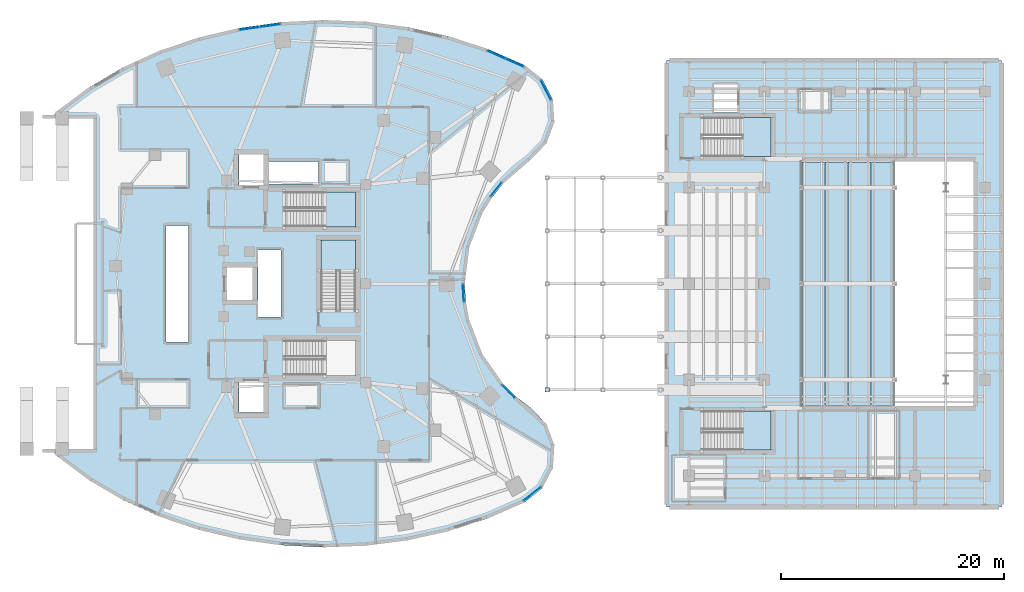
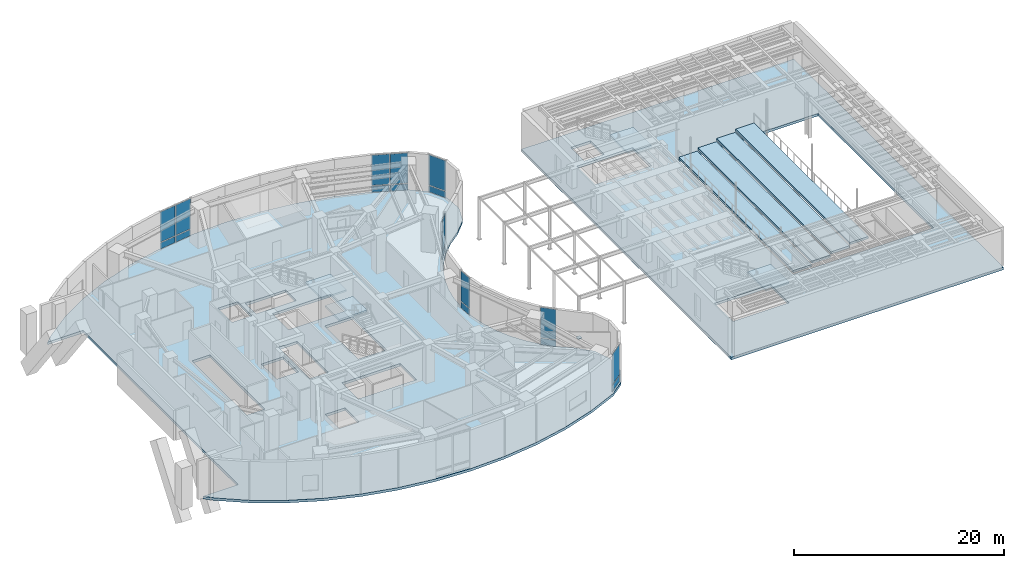
# One storey, part 12 of 24: 19 plates, 10 slabs, 11 elements without a shape of their own.
"""IFC4 building model written with IfcOpenShell, lengths in metres."""

from ifc_helpers import new_model, si_unit, direction, frame, origin, origin_2d, place, context, subcontext, project, spatial, polyline, rectangle, outline, extrude, material, layer, layer_set, type_object, element, aggregate, save


model = new_model("IFC4")

# Units and contexts
model_context = context("Model", 3, precision=1e-05, world=origin(), true_north=direction((0.0, 1.0)))
body_context = subcontext(model_context, "Body", "Model", "MODEL_VIEW")
ifc_project = project(units=[si_unit("LENGTHUNIT", "METRE"), si_unit("AREAUNIT", "SQUARE_METRE"), si_unit("VOLUMEUNIT", "CUBIC_METRE"), si_unit("PLANEANGLEUNIT", "RADIAN"), si_unit("MASSUNIT", "GRAM", prefix="KILO")], contexts=[model_context])

# Site, building, storey
site_placement = place(None, origin())
site = spatial("IfcSite", under=ifc_project, at=site_placement, CompositionType="ELEMENT")
building_placement = place(site_placement, origin())
building = spatial("IfcBuilding", under=site, at=building_placement, Name="Korentha Bioscience Tower", CompositionType="ELEMENT")
storey_placement = place(building_placement, frame((0.0, 0.0, 5.39990234375)))
storey = spatial("IfcBuildingStorey", under=building, at=storey_placement, Name="L01", CompositionType="ELEMENT", Elevation=5.39990234375)

# Slabs
ifc_material_1 = material(Name="Concrete C50", Category="concrete")
ifc_layer_1 = layer(ifc_material_1, 0.260009765625, Name="Concrete C50")
ifc_layer_set_1 = layer_set([ifc_layer_1], Name="Concrete C50 (ST-TIER)")
slab_type_1 = type_object("IfcSlabType", Name="Auditorium Raked Seating Tier Slab 260", PredefinedType="USERDEFINED", material=ifc_layer_set_1)
slab_1_placement = place(storey_placement, frame((0.0, 0.0, 0.10009765625)))
element("IfcSlab", 1, at=slab_1_placement, inside=storey, type_object=slab_type_1, Name="L01 Auditorium Seating Tier 1", ObjectType="SEATING_TIER", PredefinedType="USERDEFINED", context=body_context, shape_type="SweptSolid", body=[
    extrude(outline(polyline([(76.60009765625, 16.10009765625), (78.6298828125, 16.10009765625), (78.6298828125, 37.89990234375), (76.60009765625, 37.89990234375), (76.60009765625, 16.10009765625)])), origin(), (0.0, 0.0, 1.0), 0.260009765625),
])
slab_2_placement = place(storey_placement, frame((0.0, 0.0, 0.460205078125)))
element("IfcSlab", 2, at=slab_2_placement, inside=storey, type_object=slab_type_1, Name="L01 Auditorium Seating Tier 2", ObjectType="SEATING_TIER", PredefinedType="USERDEFINED", context=body_context, shape_type="SweptSolid", body=[
    extrude(outline(polyline([(78.679931640625, 16.10009765625), (80.7099609375, 16.10009765625), (80.7099609375, 37.89990234375), (78.679931640625, 37.89990234375), (78.679931640625, 16.10009765625)])), origin(), (0.0, 0.0, 1.0), 0.260009765625),
])
slab_3_placement = place(storey_placement, frame((0.0, 0.0, 0.820068359375)))
element("IfcSlab", 3, at=slab_3_placement, inside=storey, type_object=slab_type_1, Name="L01 Auditorium Seating Tier 3", ObjectType="SEATING_TIER", PredefinedType="USERDEFINED", context=body_context, shape_type="SweptSolid", body=[
    extrude(outline(polyline([(80.760009765625, 16.10009765625), (82.7900390625, 16.10009765625), (82.7900390625, 37.89990234375), (80.760009765625, 37.89990234375), (80.760009765625, 16.10009765625)])), origin(), (0.0, 0.0, 1.0), 0.260009765625),
])
slab_4_placement = place(storey_placement, frame((0.0, 0.0, 1.18017578125)))
element("IfcSlab", 4, at=slab_4_placement, inside=storey, type_object=slab_type_1, Name="L01 Auditorium Seating Tier 4", ObjectType="SEATING_TIER", PredefinedType="USERDEFINED", context=body_context, shape_type="SweptSolid", body=[
    extrude(outline(polyline([(82.840087890625, 16.10009765625), (84.8701171875, 16.10009765625), (84.8701171875, 37.89990234375), (82.840087890625, 37.89990234375), (82.840087890625, 16.10009765625)])), origin(), (0.0, 0.0, 1.0), 0.260009765625),
])
ifc_layer_2 = layer(ifc_material_1, 0.300048828125, Name="Concrete C50")
ifc_layer_set_2 = layer_set([ifc_layer_2], Name="Concrete C50 (SL-TH300)")
slab_type_2 = type_object("IfcSlabType", Name="Civic Theatre Floor Slab 300", PredefinedType="FLOOR", material=ifc_layer_set_2)
slab_5_placement = place(storey_placement, frame((0.0, 0.0, -0.2998046875)))
element("IfcSlab", 5, at=slab_5_placement, inside=storey, type_object=slab_type_2, Name="L01 Civic Performing-Arts Theatre Floor Slab", PredefinedType="FLOOR", context=body_context, shape_type="SweptSolid", body=[
    extrude(outline(polyline([(64.5, 7.0), (94.5, 7.0), (94.5, 47.0), (64.5, 47.0), (64.5, 7.0)]), holes=[polyline([(67.64990234375, 12.10009765625), (73.85009765625, 12.10009765625), (73.85009765625, 15.60009765625), (67.64990234375, 15.60009765625), (67.64990234375, 12.10009765625)]), polyline([(67.64990234375, 38.39990234375), (73.85009765625, 38.39990234375), (73.85009765625, 41.89990234375), (67.64990234375, 41.89990234375), (67.64990234375, 38.39990234375)]), polyline([(68.7099609375, 42.31005859375), (70.889892578125, 42.31005859375), (70.889892578125, 44.889892578125), (68.7099609375, 44.889892578125), (68.7099609375, 42.31005859375)]), polyline([(76.550048828125, 16.0), (92.0, 16.0), (92.0, 38.0), (76.550048828125, 38.0), (76.550048828125, 16.0)])]), origin(), (0.0, 0.0, 1.0), 0.2998046875),
])

# Curtain wall, plates
ifc_material_2 = material(Name="Stone-Clad Aluminium Frame", Category="masonry")
ifc_layer_3 = layer(ifc_material_2, 0.219970703125, Name="Stone-Clad Aluminium Frame")
ifc_layer_set_3 = layer_set([ifc_layer_3], Name="Stone-Clad Aluminium Frame (CW-P1)")
curtain_wall_type = type_object("IfcCurtainWallType", Name="Podium Double-Height Stone-Mullion Curtain Wall CW-P1", PredefinedType="USERDEFINED", material=ifc_layer_set_3)
curtain_wall_1_placement = place(storey_placement, origin())
curtain_wall_1 = element("IfcCurtainWall", 6, at=curtain_wall_1_placement, inside=storey, type_object=curtain_wall_type, Name="L01 Curtain Wall 01", ObjectType="UNITISED", PredefinedType="USERDEFINED")
ifc_material_3 = material(Name="Triple-Glazed Low-E Insulated Glass", Category="glass")
ifc_layer_4 = layer(ifc_material_3, 0.0439453125, Name="Triple-Glazed Low-E Insulated Glass")
ifc_layer_set_4 = layer_set([ifc_layer_4], Name="Triple-Glazed Low-E Insulated Glass (GL-44)")
plate_type_1 = type_object("IfcPlateType", Name="Glazed Panel 44mm", PredefinedType="CURTAIN_PANEL", material=ifc_layer_set_4)
plate_1_placement = place(storey_placement, frame((50.893310546875, 46.780029296875, 0.08984375), z_axis=(0.0, 0.0, 1.0), x_axis=(-0.91593909057, 0.401317308828, 0.0)))
plate_1 = element("IfcPlate", 7, at=plate_1_placement, type_object=plate_type_1, Name="CW-L01-01 Bay 1 Glazed Panel 1", PredefinedType="CURTAIN_PANEL", context=body_context, shape_type="SweptSolid", body=[
    extrude(rectangle(XDim=1.701171875, YDim=0.0439453125, at=origin_2d()), origin(), (0.0, 0.0, 1.0), 0.715087890625),
])
plate_2_placement = place(storey_placement, frame((50.893310546875, 46.780029296875, 0.89501953125), z_axis=(0.0, 0.0, 1.0), x_axis=(-0.91593909057, 0.401317308828, 0.0)))
plate_2 = element("IfcPlate", 8, at=plate_2_placement, type_object=plate_type_1, Name="CW-L01-01 Bay 1 Glazed Panel 2", PredefinedType="CURTAIN_PANEL", context=body_context, shape_type="SweptSolid", body=[
    extrude(rectangle(XDim=1.701171875, YDim=0.0439453125, at=origin_2d()), origin(), (0.0, 0.0, 1.0), 3.514892578125),
])
plate_3_placement = place(storey_placement, frame((49.25244140625, 47.498779296875, 0.08984375), z_axis=(0.0, 0.0, 1.0), x_axis=(-0.91593909057, 0.401317308828, 0.0)))
plate_3 = element("IfcPlate", 9, at=plate_3_placement, type_object=plate_type_1, Name="CW-L01-01 Bay 2 Glazed Panel 1", PredefinedType="CURTAIN_PANEL", context=body_context, shape_type="SweptSolid", body=[
    extrude(rectangle(XDim=1.701171875, YDim=0.0439453125, at=origin_2d()), origin(), (0.0, 0.0, 1.0), 0.715087890625),
])
plate_4_placement = place(storey_placement, frame((49.25244140625, 47.498779296875, 0.89501953125), z_axis=(0.0, 0.0, 1.0), x_axis=(-0.91593909057, 0.401317308828, 0.0)))
plate_4 = element("IfcPlate", 10, at=plate_4_placement, type_object=plate_type_1, Name="CW-L01-01 Bay 2 Glazed Panel 2", PredefinedType="CURTAIN_PANEL", context=body_context, shape_type="SweptSolid", body=[
    extrude(rectangle(XDim=1.701171875, YDim=0.0439453125, at=origin_2d()), origin(), (0.0, 0.0, 1.0), 3.514892578125),
])
aggregate(curtain_wall_1, [plate_1, plate_2, plate_3, plate_4])

curtain_wall_2_placement = place(storey_placement, origin())
curtain_wall_2 = element("IfcCurtainWall", 11, at=curtain_wall_2_placement, inside=storey, type_object=curtain_wall_type, Name="L01 Curtain Wall 07", ObjectType="UNITISED", PredefinedType="USERDEFINED")
plate_5_placement = place(storey_placement, frame((29.0224609375, 50.11572265625, 0.08984375), z_axis=(0.0, 0.0, 1.0), x_axis=(-0.990167372968, -0.139887717511, 0.0)))
plate_5 = element("IfcPlate", 12, at=plate_5_placement, type_object=plate_type_1, Name="CW-L01-07 Bay 1 Glazed Panel 1", PredefinedType="CURTAIN_PANEL", context=body_context, shape_type="SweptSolid", body=[
    extrude(rectangle(XDim=1.800537109375, YDim=0.0439453125, at=origin_2d()), origin(), (0.0, 0.0, 1.0), 0.715087890625),
])
plate_6_placement = place(storey_placement, frame((29.0224609375, 50.11572265625, 0.89501953125), z_axis=(0.0, 0.0, 1.0), x_axis=(-0.990167372968, -0.139887717511, 0.0)))
plate_6 = element("IfcPlate", 13, at=plate_6_placement, type_object=plate_type_1, Name="CW-L01-07 Bay 1 Glazed Panel 2", PredefinedType="CURTAIN_PANEL", context=body_context, shape_type="SweptSolid", body=[
    extrude(rectangle(XDim=1.800537109375, YDim=0.0439453125, at=origin_2d()), origin(), (0.0, 0.0, 1.0), 3.514892578125),
])
plate_7_placement = place(storey_placement, frame((27.150634765625, 49.851318359375, 0.08984375), z_axis=(0.0, 0.0, 1.0), x_axis=(-0.990167372968, -0.139887717511, 0.0)))
plate_7 = element("IfcPlate", 14, at=plate_7_placement, type_object=plate_type_1, Name="CW-L01-07 Bay 2 Glazed Panel 1", PredefinedType="CURTAIN_PANEL", context=body_context, shape_type="SweptSolid", body=[
    extrude(rectangle(XDim=1.800537109375, YDim=0.0439453125, at=origin_2d()), origin(), (0.0, 0.0, 1.0), 0.715087890625),
])
plate_8_placement = place(storey_placement, frame((27.150634765625, 49.851318359375, 0.89501953125), z_axis=(0.0, 0.0, 1.0), x_axis=(-0.990167372968, -0.139887717511, 0.0)))
plate_8 = element("IfcPlate", 15, at=plate_8_placement, type_object=plate_type_1, Name="CW-L01-07 Bay 2 Glazed Panel 2", PredefinedType="CURTAIN_PANEL", context=body_context, shape_type="SweptSolid", body=[
    extrude(rectangle(XDim=1.800537109375, YDim=0.0439453125, at=origin_2d()), origin(), (0.0, 0.0, 1.0), 3.514892578125),
])
aggregate(curtain_wall_2, [plate_5, plate_6, plate_7, plate_8])

curtain_wall_3_placement = place(storey_placement, origin())
curtain_wall_3 = element("IfcCurtainWall", 16, at=curtain_wall_3_placement, inside=storey, type_object=curtain_wall_type, Name="L01 Curtain Wall 37", ObjectType="UNITISED", PredefinedType="USERDEFINED")
plate_9_placement = place(storey_placement, frame((52.4755859375, 8.19140625, 0.08984375), z_axis=(0.0, 0.0, 1.0), x_axis=(0.782287851332, 0.62291710336, 0.0)))
plate_9 = element("IfcPlate", 17, at=plate_9_placement, type_object=plate_type_1, Name="CW-L01-37 Bay 1 Glazed Panel 1", PredefinedType="CURTAIN_PANEL", context=body_context, shape_type="SweptSolid", body=[
    extrude(rectangle(XDim=1.927734375, YDim=0.0439453125, at=origin_2d()), origin(), (0.0, 0.0, 1.0), 0.715087890625),
])
plate_10_placement = place(storey_placement, frame((52.4755859375, 8.19140625, 0.89501953125), z_axis=(0.0, 0.0, 1.0), x_axis=(0.782287851332, 0.62291710336, 0.0)))
plate_10 = element("IfcPlate", 18, at=plate_10_placement, type_object=plate_type_1, Name="CW-L01-37 Bay 1 Glazed Panel 2", PredefinedType="CURTAIN_PANEL", context=body_context, shape_type="SweptSolid", body=[
    extrude(rectangle(XDim=1.927734375, YDim=0.0439453125, at=origin_2d()), origin(), (0.0, 0.0, 1.0), 3.514892578125),
])
aggregate(curtain_wall_3, [plate_9, plate_10])

curtain_wall_4_placement = place(storey_placement, origin())
curtain_wall_4 = element("IfcCurtainWall", 19, at=curtain_wall_4_placement, inside=storey, type_object=curtain_wall_type, Name="L01 Curtain Wall 43", ObjectType="UNITISED", PredefinedType="USERDEFINED")
plate_11_placement = place(storey_placement, frame((50.333251953125, 17.335693359375, 0.08984375), z_axis=(0.0, 0.0, 1.0), x_axis=(-0.713279246754, 0.700879958445, 0.0)))
plate_11 = element("IfcPlate", 20, at=plate_11_placement, type_object=plate_type_1, Name="CW-L01-43 Bay 1 Glazed Panel 1", PredefinedType="CURTAIN_PANEL", context=body_context, shape_type="SweptSolid", body=[
    extrude(rectangle(XDim=1.537841796875, YDim=0.0439453125, at=origin_2d()), origin(), (0.0, 0.0, 1.0), 0.715087890625),
])
plate_12_placement = place(storey_placement, frame((50.333251953125, 17.335693359375, 0.89501953125), z_axis=(0.0, 0.0, 1.0), x_axis=(-0.713279246754, 0.700879958445, 0.0)))
plate_12 = element("IfcPlate", 21, at=plate_12_placement, type_object=plate_type_1, Name="CW-L01-43 Bay 1 Glazed Panel 2", PredefinedType="CURTAIN_PANEL", context=body_context, shape_type="SweptSolid", body=[
    extrude(rectangle(XDim=1.537841796875, YDim=0.0439453125, at=origin_2d()), origin(), (0.0, 0.0, 1.0), 3.514892578125),
])
aggregate(curtain_wall_4, [plate_11, plate_12])

curtain_wall_5_placement = place(storey_placement, origin())
curtain_wall_5 = element("IfcCurtainWall", 22, at=curtain_wall_5_placement, inside=storey, type_object=curtain_wall_type, Name="L01 Curtain Wall 49", ObjectType="UNITISED", PredefinedType="USERDEFINED")
plate_13_placement = place(storey_placement, frame((46.305908203125, 26.1728515625, 0.08984375), z_axis=(0.0, 0.0, 1.0), x_axis=(-0.061008272998, 0.998137260413, 0.0)))
plate_13 = element("IfcPlate", 23, at=plate_13_placement, type_object=plate_type_1, Name="CW-L01-49 Bay 1 Glazed Panel 1", PredefinedType="CURTAIN_PANEL", context=body_context, shape_type="SweptSolid", body=[
    extrude(rectangle(XDim=1.537841796875, YDim=0.0439453125, at=origin_2d()), origin(), (0.0, 0.0, 1.0), 0.715087890625),
])
plate_14_placement = place(storey_placement, frame((46.305908203125, 26.1728515625, 0.89501953125), z_axis=(0.0, 0.0, 1.0), x_axis=(-0.061008272998, 0.998137260413, 0.0)))
plate_14 = element("IfcPlate", 24, at=plate_14_placement, type_object=plate_type_1, Name="CW-L01-49 Bay 1 Glazed Panel 2", PredefinedType="CURTAIN_PANEL", context=body_context, shape_type="SweptSolid", body=[
    extrude(rectangle(XDim=1.537841796875, YDim=0.0439453125, at=origin_2d()), origin(), (0.0, 0.0, 1.0), 3.514892578125),
])
aggregate(curtain_wall_5, [plate_13, plate_14])

curtain_wall_6_placement = place(storey_placement, origin())
curtain_wall_6 = element("IfcCurtainWall", 25, at=curtain_wall_6_placement, inside=storey, type_object=curtain_wall_type, Name="L01 Curtain Wall 55", ObjectType="UNITISED", PredefinedType="USERDEFINED")
plate_15_placement = place(storey_placement, frame((49.226318359375, 35.434814453125, 0.08984375), z_axis=(0.0, 0.0, 1.0), x_axis=(0.622520324648, 0.782603632371, 0.0)))
plate_15 = element("IfcPlate", 26, at=plate_15_placement, type_object=plate_type_1, Name="CW-L01-55 Bay 1 Glazed Panel 1", PredefinedType="CURTAIN_PANEL", context=body_context, shape_type="SweptSolid", body=[
    extrude(rectangle(XDim=1.537841796875, YDim=0.0439453125, at=origin_2d()), origin(), (0.0, 0.0, 1.0), 0.715087890625),
])
plate_16_placement = place(storey_placement, frame((49.226318359375, 35.434814453125, 0.89501953125), z_axis=(0.0, 0.0, 1.0), x_axis=(0.622520324648, 0.782603632371, 0.0)))
plate_16 = element("IfcPlate", 27, at=plate_16_placement, type_object=plate_type_1, Name="CW-L01-55 Bay 1 Glazed Panel 2", PredefinedType="CURTAIN_PANEL", context=body_context, shape_type="SweptSolid", body=[
    extrude(rectangle(XDim=1.537841796875, YDim=0.0439453125, at=origin_2d()), origin(), (0.0, 0.0, 1.0), 3.514892578125),
])
aggregate(curtain_wall_6, [plate_15, plate_16])

curtain_wall_7_placement = place(storey_placement, origin())
curtain_wall_7 = element("IfcCurtainWall", 28, at=curtain_wall_7_placement, inside=storey, type_object=curtain_wall_type, Name="L01 Curtain Wall 61", ObjectType="UNITISED", PredefinedType="USERDEFINED")
plate_17_placement = place(storey_placement, frame((53.6962890625, 44.32958984375, 0.08984375), z_axis=(0.0, 0.0, 1.0), x_axis=(-0.463008597697, 0.886353788539, 0.0)))
plate_17 = element("IfcPlate", 29, at=plate_17_placement, type_object=plate_type_1, Name="CW-L01-61 Bay 1 Glazed Panel 1", PredefinedType="CURTAIN_PANEL", context=body_context, shape_type="SweptSolid", body=[
    extrude(rectangle(XDim=1.927734375, YDim=0.0439453125, at=origin_2d()), origin(), (0.0, 0.0, 1.0), 0.715087890625),
])
plate_18_placement = place(storey_placement, frame((53.6962890625, 44.32958984375, 0.89501953125), z_axis=(0.0, 0.0, 1.0), x_axis=(-0.463008597697, 0.886353788539, 0.0)))
plate_18 = element("IfcPlate", 30, at=plate_18_placement, type_object=plate_type_1, Name="CW-L01-61 Bay 1 Glazed Panel 2", PredefinedType="CURTAIN_PANEL", context=body_context, shape_type="SweptSolid", body=[
    extrude(rectangle(XDim=1.927734375, YDim=0.0439453125, at=origin_2d()), origin(), (0.0, 0.0, 1.0), 3.514892578125),
])
aggregate(curtain_wall_7, [plate_17, plate_18])

# Plate
ifc_material_4 = material(Name="Steel S355", Category="steel")
ifc_layer_5 = layer(ifc_material_4, 0.080078125, Name="Steel S355")
ifc_layer_set_5 = layer_set([ifc_layer_5], Name="Steel S355 (CP-02)")
plate_type_2 = type_object("IfcPlateType", Name="Hollow Section End Cap Plate 400x400x80", PredefinedType="USERDEFINED", material=ifc_layer_set_5)
plate_19_placement = place(storey_placement, frame((53.800048828125, 17.5, -0.35986328125), z_axis=(0.0, 0.0, 1.0), x_axis=(1.0, 0.0, 0.0)))
element("IfcPlate", 31, at=plate_19_placement, inside=storey, type_object=plate_type_2, Name="Arcade Column Splice Cap W-01", ObjectType="CAP_PLATE", PredefinedType="USERDEFINED", context=body_context, shape_type="SweptSolid", body=[
    extrude(rectangle(XDim=0.39990234375, YDim=0.39990234375, at=origin_2d()), origin(), (0.0, 0.0, 1.0), 0.080078125),
])

# Stair, slab
ifc_material_5 = material(Name="Precast Concrete C50", Category="concrete")
stair_type_1 = type_object("IfcStairType", Name="Core Exit Dog-Leg Stair 1450", PredefinedType="HALF_TURN_STAIR", material=ifc_material_5)
stair_1_placement = place(storey_placement, origin())
stair_1 = element("IfcStair", 32, at=stair_1_placement, inside=storey, type_object=stair_type_1, Name="L01 Tower North Pressurized Exit Stair ST-1", PredefinedType="HALF_TURN_STAIR")
ifc_layer_6 = layer(ifc_material_1, 0.199951171875, Name="Concrete C50")
ifc_layer_set_6 = layer_set([ifc_layer_6], Name="Concrete C50 (SL-LND)")
slab_type_3 = type_object("IfcSlabType", Name="Landing Slab 200", PredefinedType="LANDING", material=ifc_layer_set_6)
slab_6_placement = place(storey_placement, frame((0.0, 0.0, 2.2001953125)))
slab_6 = element("IfcSlab", 33, at=slab_6_placement, type_object=slab_type_3, Name="ST-1 landing 1", PredefinedType="LANDING", context=body_context, shape_type="SweptSolid", body=[
    extrude(outline(polyline([(33.889892578125, 32.10009765625), (36.64990234375, 32.10009765625), (36.64990234375, 35.199951171875), (33.889892578125, 35.199951171875), (33.889892578125, 32.10009765625)])), origin(), (0.0, 0.0, 1.0), 0.199951171875),
])
aggregate(stair_1, [slab_6])

stair_2_placement = place(storey_placement, origin())
stair_2 = element("IfcStair", 34, at=stair_2_placement, inside=storey, type_object=stair_type_1, Name="L01 Tower Central Pressurized Exit Stair ST-3", PredefinedType="HALF_TURN_STAIR")
slab_7_placement = place(storey_placement, frame((0.0, 0.0, 2.2001953125)))
slab_7 = element("IfcSlab", 35, at=slab_7_placement, type_object=slab_type_3, Name="ST-3 landing 1", PredefinedType="LANDING", context=body_context, shape_type="SweptSolid", body=[
    extrude(outline(polyline([(36.64990234375, 28.18994140625), (36.64990234375, 30.89990234375), (33.550048828125, 30.89990234375), (33.550048828125, 28.18994140625), (36.64990234375, 28.18994140625)])), origin(), (0.0, 0.0, 1.0), 0.199951171875),
])
aggregate(stair_2, [slab_7])

stair_type_2 = type_object("IfcStairType", Name="Theatre Public Dog-Leg Stair 1650", PredefinedType="HALF_TURN_STAIR", material=ifc_material_5)
stair_3_placement = place(storey_placement, origin())
stair_3 = element("IfcStair", 36, at=stair_3_placement, inside=storey, type_object=stair_type_2, Name="L01 Civic Theatre South Exit Stair ST-T1", PredefinedType="HALF_TURN_STAIR")
slab_8_placement = place(storey_placement, frame((0.0, 0.0, 2.2001953125)))
slab_8 = element("IfcSlab", 37, at=slab_8_placement, type_object=slab_type_3, Name="ST-T1 landing 1", PredefinedType="LANDING", context=body_context, shape_type="SweptSolid", body=[
    extrude(outline(polyline([(71.2900390625, 12.10009765625), (73.85009765625, 12.10009765625), (73.85009765625, 15.60009765625), (71.2900390625, 15.60009765625), (71.2900390625, 12.10009765625)])), origin(), (0.0, 0.0, 1.0), 0.199951171875),
])
aggregate(stair_3, [slab_8])

stair_4_placement = place(storey_placement, origin())
stair_4 = element("IfcStair", 38, at=stair_4_placement, inside=storey, type_object=stair_type_2, Name="L01 Civic Theatre North Exit Stair ST-T2", PredefinedType="HALF_TURN_STAIR")
slab_9_placement = place(storey_placement, frame((0.0, 0.0, 2.2001953125)))
slab_9 = element("IfcSlab", 39, at=slab_9_placement, type_object=slab_type_3, Name="ST-T2 landing 1", PredefinedType="LANDING", context=body_context, shape_type="SweptSolid", body=[
    extrude(outline(polyline([(71.2900390625, 38.39990234375), (73.85009765625, 38.39990234375), (73.85009765625, 41.89990234375), (71.2900390625, 41.89990234375), (71.2900390625, 38.39990234375)])), origin(), (0.0, 0.0, 1.0), 0.199951171875),
])
aggregate(stair_4, [slab_9])

# Slab
ifc_layer_7 = layer(ifc_material_1, 0.320068359375, Name="Concrete C50")
ifc_layer_set_7 = layer_set([ifc_layer_7], Name="Concrete C50 (SL-P320)")
slab_type_4 = type_object("IfcSlabType", Name="Podium Ground Structural Slab 320", PredefinedType="FLOOR", material=ifc_layer_set_7)
slab_10_placement = place(storey_placement, frame((0.0, 0.0, -0.2998046875)))
element("IfcSlab", 40, at=slab_10_placement, inside=storey, type_object=slab_type_4, Name="L01 Tower Structural Floor Slab", PredefinedType="FLOOR", context=body_context, shape_type="SweptSolid", body=[
    extrude(outline(polyline([(9.29736328125, 41.800048828125), (13.199951171875, 41.800048828125), (13.199951171875, 12.199951171875), (9.29736328125, 12.199951171875), (10.1220703125, 11.41357421875), (12.8134765625, 9.400634765625), (15.810791015625, 7.641845703125), (19.07080078125, 6.162353515625), (22.54638671875, 4.98388671875), (26.187255859375, 4.123291015625), (29.94091796875, 3.593017578125), (33.75341796875, 3.400634765625), (37.569091796875, 3.549072265625), (41.33349609375, 4.0361328125), (44.9921875, 4.854736328125), (48.49169921875, 5.9931640625), (51.7822265625, 7.434814453125), (53.368408203125, 8.69775390625), (54.307373046875, 10.4951171875), (54.4384765625, 12.518310546875), (53.739013671875, 14.421630859375), (52.3291015625, 15.878662109375), (51.029541015625, 16.875732421875), (49.861328125, 18.023681640625), (48.841796875, 19.3056640625), (47.98583984375, 20.7021484375), (47.306640625, 22.192626953125), (46.814208984375, 23.754638671875), (46.515625, 25.365234375), (46.415771484375, 27.0), (46.515625, 28.634765625), (46.814208984375, 30.245361328125), (47.306640625, 31.807373046875), (47.98583984375, 33.2978515625), (48.841796875, 34.6943359375), (49.861328125, 35.976318359375), (51.029541015625, 37.124267578125), (52.3291015625, 38.121337890625), (53.739013671875, 39.578369140625), (54.4384765625, 41.481689453125), (54.307373046875, 43.5048828125), (53.368408203125, 45.30224609375), (51.7822265625, 46.565185546875), (48.49169921875, 48.0068359375), (44.9921875, 49.145263671875), (41.33349609375, 49.9638671875), (37.569091796875, 50.450927734375), (33.75341796875, 50.599365234375), (29.94091796875, 50.406982421875), (26.187255859375, 49.876708984375), (22.54638671875, 49.01611328125), (19.07080078125, 47.837646484375), (15.810791015625, 46.358154296875), (12.8134765625, 44.599365234375), (10.1220703125, 42.58642578125), (9.29736328125, 41.800048828125)]), holes=[polyline([(30.25, 32.10009765625), (36.64990234375, 32.10009765625), (36.64990234375, 35.199951171875), (30.25, 35.199951171875), (30.25, 32.10009765625)]), polyline([(30.25, 18.800048828125), (36.64990234375, 18.800048828125), (36.64990234375, 21.89990234375), (30.25, 21.89990234375), (30.25, 18.800048828125)]), polyline([(36.64990234375, 24.550048828125), (36.64990234375, 30.89990234375), (33.550048828125, 30.89990234375), (33.550048828125, 24.550048828125), (36.64990234375, 24.550048828125)]), polyline([(19.679931640625, 21.780029296875), (21.669921875, 21.780029296875), (21.669921875, 32.219970703125), (19.679931640625, 32.219970703125), (19.679931640625, 21.780029296875)]), polyline([(27.929931640625, 24.030029296875), (29.969970703125, 24.030029296875), (29.969970703125, 30.02001953125), (27.929931640625, 30.02001953125), (27.929931640625, 24.030029296875)]), polyline([(28.860107421875, 35.93994140625), (33.31005859375, 35.93994140625), (33.31005859375, 37.9599609375), (28.860107421875, 37.9599609375), (28.860107421875, 35.93994140625)]), polyline([(26.199951171875, 15.449951171875), (28.39990234375, 15.449951171875), (28.39990234375, 18.14990234375), (26.199951171875, 18.14990234375), (26.199951171875, 15.449951171875)]), polyline([(26.199951171875, 35.85009765625), (28.39990234375, 35.85009765625), (28.39990234375, 38.550048828125), (26.199951171875, 38.550048828125), (26.199951171875, 35.85009765625)]), polyline([(25.14990234375, 25.550048828125), (27.550048828125, 25.550048828125), (27.550048828125, 28.449951171875), (25.14990234375, 28.449951171875), (25.14990234375, 25.550048828125)])]), origin(), (0.0, 0.0, 1.0), 0.2998046875),
])

save(model, "model.ifc")
